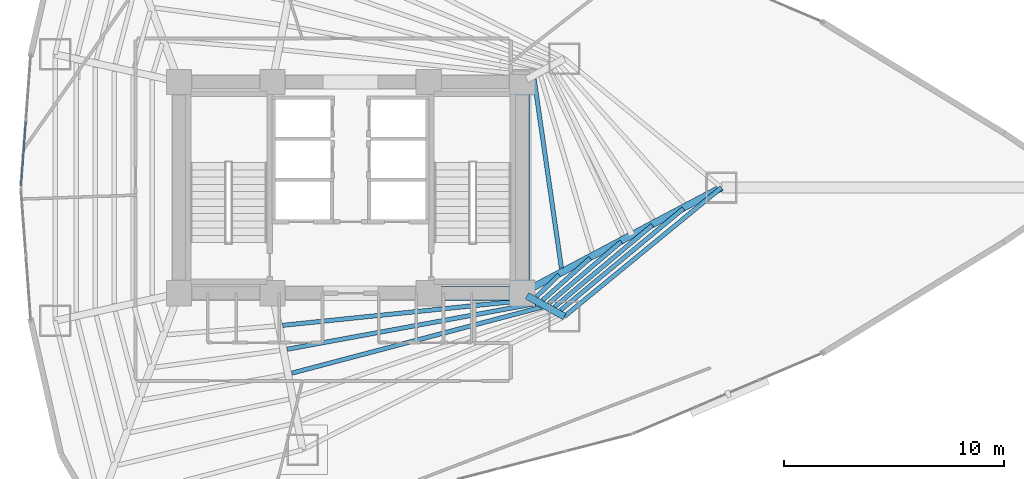
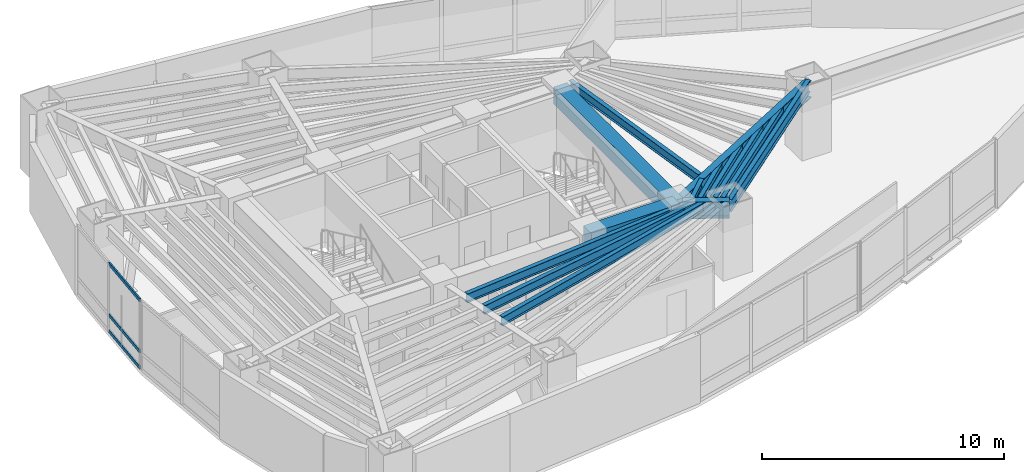
# One storey, part 7 of 20: 14 beams, 3 members, 1 element without a shape of its own.
"""IFC4 building model written with IfcOpenShell, lengths in metres."""

from ifc_helpers import new_model, si_unit, direction, frame, origin, origin_2d, place, context, subcontext, project, spatial, rectangle, hollow_rectangle, i_section, extrude, material, layer, layer_set, material_profile, profile_set, type_object, element, aggregate, save


model = new_model("IFC4")

# Units and contexts
model_context = context("Model", 3, precision=1e-05, world=origin(), true_north=direction((0.0, 1.0)))
body_context = subcontext(model_context, "Body", "Model", "MODEL_VIEW")
ifc_project = project(units=[si_unit("LENGTHUNIT", "METRE"), si_unit("AREAUNIT", "SQUARE_METRE"), si_unit("VOLUMEUNIT", "CUBIC_METRE"), si_unit("PLANEANGLEUNIT", "RADIAN"), si_unit("MASSUNIT", "GRAM", prefix="KILO")], contexts=[model_context])

# Site, building, storey
site_placement = place(None, origin())
site = spatial("IfcSite", under=ifc_project, at=site_placement, CompositionType="ELEMENT")
building_placement = place(site_placement, origin())
building = spatial("IfcBuilding", under=site, at=building_placement, Name="Menara Vayukalpa", CompositionType="ELEMENT")
storey_placement = place(building_placement, frame((0.0, 0.0, 57.360107421875)))
storey = spatial("IfcBuildingStorey", under=building, at=storey_placement, Name="L13", CompositionType="ELEMENT", Elevation=57.360107421875)

# Beams
ifc_material_1 = material(Name="Concrete C60/75", Category="concrete")
ifc_material_profile_1 = material_profile(ifc_material_1, rectangle(XDim=0.64990234375, YDim=0.85009765625, at=origin_2d()), Name="RC 650x850")
ifc_profile_set_1 = profile_set([ifc_material_profile_1], Name="Concrete C60/75")
beam_type_1 = type_object("IfcBeamType", Name="BM-CB1", PredefinedType="BEAM", material=ifc_profile_set_1)
beam_1_placement = place(storey_placement, frame((29.14990234375, 17.199951171875, 3.044921875), z_axis=(1.0, 0.0, 0.0), x_axis=(0.0, 1.0, 0.0)))
element("IfcBeam", 1, at=beam_1_placement, inside=storey, type_object=beam_type_1, Name="L13 Core Tie Beam CBR3", PredefinedType="BEAM", context=body_context, shape_type="SweptSolid", body=[
    extrude(rectangle(XDim=0.64990234375, YDim=0.85009765625, at=origin_2d()), origin(), (0.0, 0.0, 1.0), 4.25),
])
beam_2_placement = place(storey_placement, frame((33.39990234375, 17.199951171875, 3.044921875), z_axis=(0.0, 1.0, 0.0), x_axis=(-1.0, 0.0, 0.0)))
element("IfcBeam", 2, at=beam_2_placement, inside=storey, type_object=beam_type_1, Name="L13 Core Tie Beam CBR8", PredefinedType="BEAM", context=body_context, shape_type="SweptSolid", body=[
    extrude(rectangle(XDim=0.64990234375, YDim=0.85009765625, at=origin_2d()), origin(), (0.0, 0.0, 1.0), 9.60009765625),
])
ifc_material_2 = material(Name="Steel S355", Category="steel")
ifc_material_profile_2 = material_profile(ifc_material_2, i_section(OverallWidth=0.320068359375, OverallDepth=0.85009765625, WebThickness=0.01611328125, FlangeThickness=0.030029296875, at=origin_2d()), Name="WF 850x320x16x30")
ifc_profile_set_2 = profile_set([ifc_material_profile_2], Name="Steel S355")
beam_type_2 = type_object("IfcBeamType", Name="BM-PG2", PredefinedType="BEAM", material=ifc_profile_set_2)
beam_3_placement = place(storey_placement, frame((33.620849609375, 17.31689453125, 3.044921875), z_axis=(0.883746967157, 0.467965060704, 0.0), x_axis=(-0.467965060704, 0.883746967157, 0.0)))
element("IfcBeam", 3, at=beam_3_placement, inside=storey, type_object=beam_type_2, Name="L13 Primary Radial Girder RG01", PredefinedType="BEAM", context=body_context, shape_type="SweptSolid", body=[
    extrude(i_section(OverallWidth=0.320068359375, OverallDepth=0.85009765625, WebThickness=0.01611328125, FlangeThickness=0.030029296875, at=origin_2d()), origin(), (0.0, 0.0, 1.0), 10.00732421875),
])
beam_4_placement = place(storey_placement, frame((33.61865234375, 17.078857421875, 3.044921875), z_axis=(0.87459548214, -0.484853320727, 0.0), x_axis=(0.484853320727, 0.87459548214, 0.0)))
element("IfcBeam", 4, at=beam_4_placement, inside=storey, type_object=beam_type_2, Name="L13 Primary Radial Girder RG09", PredefinedType="BEAM", context=body_context, shape_type="SweptSolid", body=[
    extrude(i_section(OverallWidth=0.320068359375, OverallDepth=0.85009765625, WebThickness=0.01611328125, FlangeThickness=0.030029296875, at=origin_2d()), origin(), (0.0, 0.0, 1.0), 1.943115234375),
])
ifc_material_3 = material(Name="Steel S355", Category="steel")
ifc_material_profile_3 = material_profile(ifc_material_3, i_section(OverallWidth=0.199951171875, OverallDepth=0.449951171875, WebThickness=0.009033203125, FlangeThickness=0.013916015625, at=origin_2d()), Name="WF 450x200x9x14")
ifc_profile_set_3 = profile_set([ifc_material_profile_3], Name="Steel S355")
beam_type_3 = type_object("IfcBeamType", Name="BM-SJ1", PredefinedType="JOIST", material=ifc_profile_set_3)
beam_5_placement = place(storey_placement, frame((35.18701171875, 18.338134765625, 3.244873046875), z_axis=(-0.142766602183, 0.989756382804, 0.0), x_axis=(-0.989756382804, -0.142766602183, 0.0)))
element("IfcBeam", 5, at=beam_5_placement, inside=storey, type_object=beam_type_3, Name="L13 Secondary Floor Joist SJ01-1", PredefinedType="JOIST", context=body_context, shape_type="SweptSolid", body=[
    extrude(i_section(OverallWidth=0.199951171875, OverallDepth=0.449951171875, WebThickness=0.009033203125, FlangeThickness=0.013916015625, at=origin_2d()), origin(), (0.0, 0.0, 1.0), 8.6630859375),
])
beam_6_placement = place(storey_placement, frame((22.514404296875, 15.735107421875, 3.244873046875), z_axis=(0.994746828953, 0.102365747631, 0.0), x_axis=(-0.102365747631, 0.994746828953, 0.0)))
element("IfcBeam", 6, at=beam_6_placement, inside=storey, type_object=beam_type_3, Name="L13 Secondary Floor Joist SJ08-1", PredefinedType="JOIST", context=body_context, shape_type="SweptSolid", body=[
    extrude(i_section(OverallWidth=0.199951171875, OverallDepth=0.449951171875, WebThickness=0.009033203125, FlangeThickness=0.013916015625, at=origin_2d()), origin(), (0.0, 0.0, 1.0), 11.29052734375),
])
beam_7_placement = place(storey_placement, frame((22.723876953125, 14.648681640625, 3.244873046875), z_axis=(0.983504975359, 0.180881075419, 0.0), x_axis=(-0.180881075419, 0.983504975359, 0.0)))
element("IfcBeam", 7, at=beam_7_placement, inside=storey, type_object=beam_type_3, Name="L13 Secondary Floor Joist SJ08-2", PredefinedType="JOIST", context=body_context, shape_type="SweptSolid", body=[
    extrude(i_section(OverallWidth=0.199951171875, OverallDepth=0.449951171875, WebThickness=0.009033203125, FlangeThickness=0.013916015625, at=origin_2d()), origin(), (0.0, 0.0, 1.0), 11.48486328125),
])
beam_8_placement = place(storey_placement, frame((22.932373046875, 13.561767578125, 3.244873046875), z_axis=(0.966863757537, 0.255292918746, 0.0), x_axis=(-0.255292918746, 0.966863757537, 0.0)))
element("IfcBeam", 8, at=beam_8_placement, inside=storey, type_object=beam_type_3, Name="L13 Secondary Floor Joist SJ08-3", PredefinedType="JOIST", context=body_context, shape_type="SweptSolid", body=[
    extrude(i_section(OverallWidth=0.199951171875, OverallDepth=0.449951171875, WebThickness=0.009033203125, FlangeThickness=0.013916015625, at=origin_2d()), origin(), (0.0, 0.0, 1.0), 11.751220703125),
])
beam_9_placement = place(storey_placement, frame((34.0537109375, 17.03466796875, 3.244873046875), z_axis=(0.717488193219, 0.696570665899, 0.0), x_axis=(-0.696570665899, 0.717488193219, 0.0)))
element("IfcBeam", 9, at=beam_9_placement, inside=storey, type_object=beam_type_3, Name="L13 Secondary Floor Joist SJ09-1", PredefinedType="JOIST", context=body_context, shape_type="SweptSolid", body=[
    extrude(i_section(OverallWidth=0.199951171875, OverallDepth=0.449951171875, WebThickness=0.009033203125, FlangeThickness=0.013916015625, at=origin_2d()), origin(), (0.0, 0.0, 1.0), 1.435546875),
])
beam_10_placement = place(storey_placement, frame((34.331298828125, 16.877685546875, 3.244873046875), z_axis=(0.748970728252, 0.662603084978, 0.0), x_axis=(-0.662603084978, 0.748970728252, 0.0)))
element("IfcBeam", 10, at=beam_10_placement, inside=storey, type_object=beam_type_3, Name="L13 Secondary Floor Joist SJ09-2", PredefinedType="JOIST", context=body_context, shape_type="SweptSolid", body=[
    extrude(i_section(OverallWidth=0.199951171875, OverallDepth=0.449951171875, WebThickness=0.009033203125, FlangeThickness=0.013916015625, at=origin_2d()), origin(), (0.0, 0.0, 1.0), 2.88623046875),
])
beam_11_placement = place(storey_placement, frame((34.605224609375, 16.724609375, 3.244873046875), z_axis=(0.760660716004, 0.649149655418, 0.0), x_axis=(-0.649149655418, 0.760660716004, 0.0)))
element("IfcBeam", 11, at=beam_11_placement, inside=storey, type_object=beam_type_3, Name="L13 Secondary Floor Joist SJ09-3", PredefinedType="JOIST", context=body_context, shape_type="SweptSolid", body=[
    extrude(i_section(OverallWidth=0.199951171875, OverallDepth=0.449951171875, WebThickness=0.009033203125, FlangeThickness=0.013916015625, at=origin_2d()), origin(), (0.0, 0.0, 1.0), 4.33935546875),
])
beam_12_placement = place(storey_placement, frame((34.878173828125, 16.572509765625, 3.244873046875), z_axis=(0.766661190174, 0.642051882235, 0.0), x_axis=(-0.642051882235, 0.766661190174, 0.0)))
element("IfcBeam", 12, at=beam_12_placement, inside=storey, type_object=beam_type_3, Name="L13 Secondary Floor Joist SJ09-4", PredefinedType="JOIST", context=body_context, shape_type="SweptSolid", body=[
    extrude(i_section(OverallWidth=0.199951171875, OverallDepth=0.449951171875, WebThickness=0.009033203125, FlangeThickness=0.013916015625, at=origin_2d()), origin(), (0.0, 0.0, 1.0), 5.79345703125),
])
beam_13_placement = place(storey_placement, frame((35.15087890625, 16.421142578125, 3.244873046875), z_axis=(0.770362369683, 0.637606320056, 0.0), x_axis=(-0.637606320056, 0.770362369683, 0.0)))
element("IfcBeam", 13, at=beam_13_placement, inside=storey, type_object=beam_type_3, Name="L13 Secondary Floor Joist SJ09-5", PredefinedType="JOIST", context=body_context, shape_type="SweptSolid", body=[
    extrude(i_section(OverallWidth=0.199951171875, OverallDepth=0.449951171875, WebThickness=0.009033203125, FlangeThickness=0.013916015625, at=origin_2d()), origin(), (0.0, 0.0, 1.0), 7.24755859375),
])
ifc_material_4 = material(Name="Steel S355", Category="steel")
ifc_material_profile_4 = material_profile(ifc_material_4, i_section(OverallWidth=0.199951171875, OverallDepth=0.60009765625, WebThickness=0.010986328125, FlangeThickness=0.01708984375, at=origin_2d()), Name="WF 600x200x11x17")
ifc_profile_set_4 = profile_set([ifc_material_profile_4], Name="Steel S355")
beam_type_4 = type_object("IfcBeamType", Name="BM-SP1", PredefinedType="SPANDREL", material=ifc_profile_set_4)
beam_14_placement = place(storey_placement, frame((35.318115234375, 16.13671875, 3.169921875), z_axis=(0.773110561587, 0.63427128231, 0.0), x_axis=(-0.63427128231, 0.773110561587, 0.0)))
element("IfcBeam", 14, at=beam_14_placement, inside=storey, type_object=beam_type_4, Name="L13 Perimeter Spandrel Beam SP09", PredefinedType="SPANDREL", context=body_context, shape_type="SweptSolid", body=[
    extrude(i_section(OverallWidth=0.199951171875, OverallDepth=0.60009765625, WebThickness=0.010986328125, FlangeThickness=0.01708984375, at=origin_2d()), origin(), (0.0, 0.0, 1.0), 9.244140625),
])

# Curtain wall, members
ifc_material_5 = material(Name="Anodised Terracotta Aluminium Alloy 6063-T6", Category="masonry")
ifc_layer = layer(ifc_material_5, 0.179931640625)
ifc_layer_set = layer_set([ifc_layer], Name="Anodised Terracotta Aluminium Alloy 6063-T6")
curtain_wall_type = type_object("IfcCurtainWallType", Name="CW-CW4", PredefinedType="USERDEFINED", material=ifc_layer_set)
curtain_wall_placement = place(storey_placement, origin())
curtain_wall = element("IfcCurtainWall", 15, at=curtain_wall_placement, inside=storey, type_object=curtain_wall_type, Name="L13 Sky Bar Cantilever Glazed Curtain Wall CW4 10", ObjectType="UNITISED", PredefinedType="USERDEFINED")
ifc_material_6 = material(Name="Anodised Terracotta Aluminium Alloy 6063-T6", Category="masonry")
ifc_material_profile_5 = material_profile(ifc_material_6, hollow_rectangle(XDim=0.070068359375, YDim=0.1650390625, WallThickness=0.00390625, at=origin_2d()), Name="ALU 70x165x4")
ifc_profile_set_5 = profile_set([ifc_material_profile_5], Name="Anodised Terracotta Aluminium Alloy 6063-T6")
member_type = type_object("IfcMemberType", Name="CWT-CW4", PredefinedType="USERDEFINED", material=ifc_profile_set_5)
member_1_placement = place(storey_placement, frame((10.834228515625, 24.992431640625, 0.034912109375), z_axis=(-0.074845955291, -0.997195107778, 0.0), x_axis=(0.997195107778, -0.074845955291, 0.0)))
member_1 = element("IfcMember", 16, at=member_1_placement, type_object=member_type, Name="CW4 transom 2.1", ObjectType="TRANSOM", PredefinedType="USERDEFINED", context=body_context, shape_type="SweptSolid", body=[
    extrude(hollow_rectangle(XDim=0.070068359375, YDim=0.1650390625, WallThickness=0.00390625, at=origin_2d()), origin(), (0.0, 0.0, 1.0), 2.926025390625),
])
member_2_placement = place(storey_placement, frame((10.834228515625, 24.992431640625, 0.849853515625), z_axis=(-0.074845955291, -0.997195107778, 0.0), x_axis=(0.997195107778, -0.074845955291, 0.0)))
member_2 = element("IfcMember", 17, at=member_2_placement, type_object=member_type, Name="CW4 transom 2.2", ObjectType="TRANSOM", PredefinedType="USERDEFINED", context=body_context, shape_type="SweptSolid", body=[
    extrude(hollow_rectangle(XDim=0.070068359375, YDim=0.1650390625, WallThickness=0.00390625, at=origin_2d()), origin(), (0.0, 0.0, 1.0), 2.926025390625),
])
member_3_placement = place(storey_placement, frame((10.834228515625, 24.992431640625, 3.434814453125), z_axis=(-0.074845955291, -0.997195107778, 0.0), x_axis=(0.997195107778, -0.074845955291, 0.0)))
member_3 = element("IfcMember", 18, at=member_3_placement, type_object=member_type, Name="CW4 transom 2.3", ObjectType="TRANSOM", PredefinedType="USERDEFINED", context=body_context, shape_type="SweptSolid", body=[
    extrude(hollow_rectangle(XDim=0.070068359375, YDim=0.1650390625, WallThickness=0.00390625, at=origin_2d()), origin(), (0.0, 0.0, 1.0), 2.926025390625),
])
aggregate(curtain_wall, [member_1, member_2, member_3])

save(model, "model.ifc")
